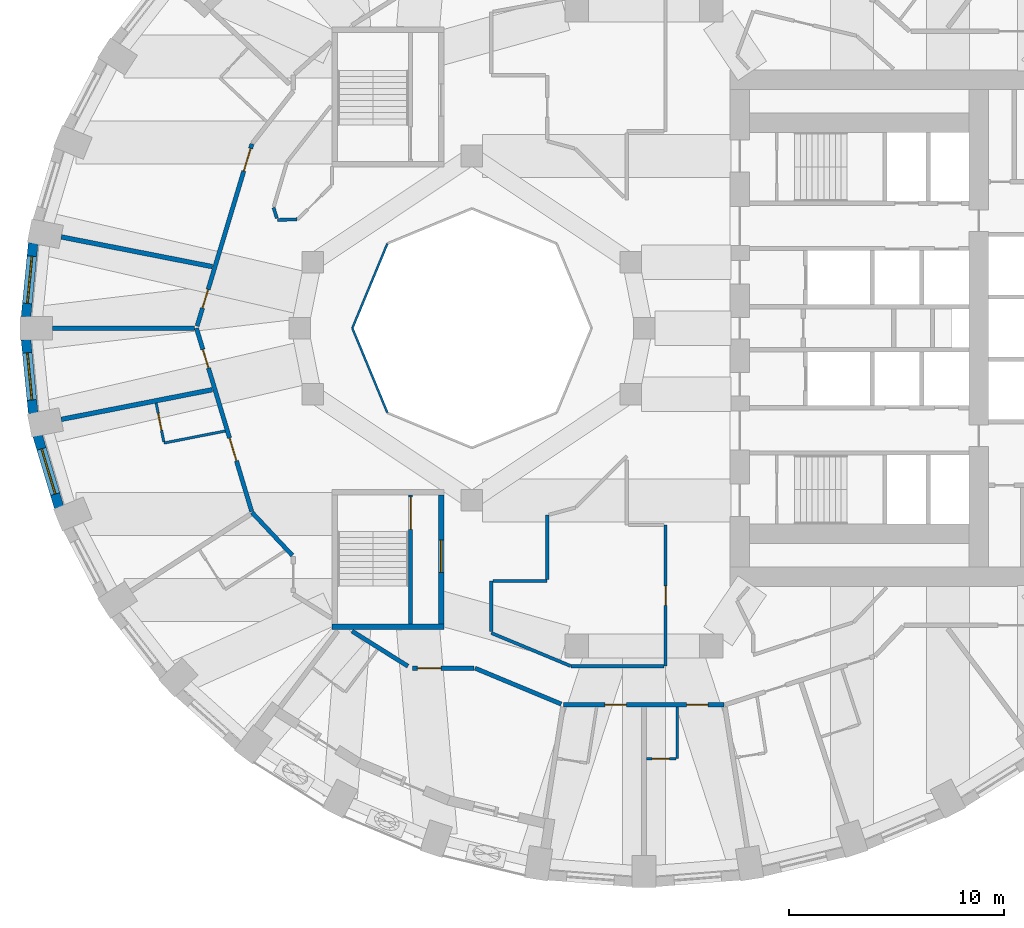
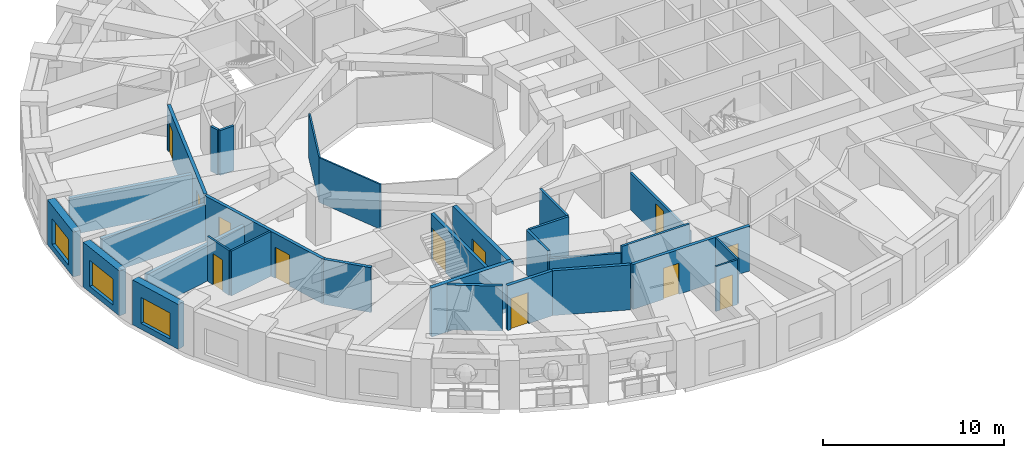
# One storey, part 4 of 13: 30 walls, 12 doors, 3 windows, 15 openings.
"""IFC4 building model written with IfcOpenShell, lengths in metres."""

from ifc_helpers import new_model, si_unit, direction, frame, frame_2d, origin, place, context, subcontext, project, spatial, rectangle, extrude, material, layer, layer_set, type_object, element, fill, save


model = new_model("IFC4")

# Units and contexts
model_context = context("Model", 3, precision=1e-05, world=origin(), true_north=direction((0.0, 1.0)))
body_context = subcontext(model_context, "Body", "Model", "MODEL_VIEW")
ifc_project = project(units=[si_unit("LENGTHUNIT", "METRE"), si_unit("AREAUNIT", "SQUARE_METRE"), si_unit("VOLUMEUNIT", "CUBIC_METRE"), si_unit("PLANEANGLEUNIT", "RADIAN"), si_unit("MASSUNIT", "GRAM", prefix="KILO")], contexts=[model_context])

# Site, building, storey
site_placement = place(None, origin())
site = spatial("IfcSite", under=ifc_project, at=site_placement, CompositionType="ELEMENT")
building_placement = place(site_placement, origin())
building = spatial("IfcBuilding", under=site, at=building_placement, Name="Taillehof Tower", CompositionType="ELEMENT")
storey_placement = place(building_placement, frame((0.0, 0.0, 48.10009765625)))
storey = spatial("IfcBuildingStorey", under=building, at=storey_placement, Name="L12", CompositionType="ELEMENT", Elevation=48.10009765625)

# Walls
ifc_material_1 = material(Name="Fire-resisting glass in steel frame", Category="steel")
ifc_layer_1 = layer(ifc_material_1, 0.10009765625)
ifc_layer_set_1 = layer_set([ifc_layer_1], Name="Atrium fire-resisting screen EI 60 100")
wall_type_1 = type_object("IfcWallType", Name="Atrium fire-resisting screen EI 60 100", PredefinedType="PARTITIONING", material=ifc_layer_set_1)
for number, where, z_axis, x_axis, name in (
    (1, (-11.92724609375, -3.92724609375, 0.0), (0.0, 0.0, 1.0), (-0.382730523909, 0.923860025149, 0.0), "Atrium screen"),
    (2, (-13.55419921875, 0.0, 0.0), (0.0, 0.0, 1.0), (0.382730523909, 0.923860025149, 0.0), "Atrium screen"),
):
    element("IfcWall", number, at=place(storey_placement, frame(where, z_axis=z_axis, x_axis=x_axis)), inside=storey, type_object=wall_type_1, Name=name, PredefinedType="PARTITIONING", context=body_context, shape_type="SweptSolid", body=[
        extrude(rectangle(XDim=4.2509765625, YDim=0.10009765625, at=frame_2d((2.12548828125, 0.0))), origin(), (0.0, 0.0, 1.0), 3.02001953125),
    ])

# Wall, opening, window
ifc_material_2 = material(Name="Brick masonry", Category="masonry")
ifc_layer_2 = layer(ifc_material_2, 0.449951171875)
ifc_layer_set_2 = layer_set([ifc_layer_2], Name="Brick infill wall 450")
wall_type_2 = type_object("IfcWallType", Name="Brick infill wall 450", PredefinedType="SOLIDWALL", material=ifc_layer_set_2)
wall_1_placement = place(storey_placement, frame((-28.38671875, 3.95556640625, 0.0), z_axis=(0.0, 0.0, 1.0), x_axis=(-0.097389581596, -0.995246336038, 0.0)))
wall_1 = element("IfcWall", 3, at=wall_1_placement, inside=storey, type_object=wall_type_2, Name="Brick wall L12 bay 18", PredefinedType="SOLIDWALL", context=body_context, shape_type="SweptSolid", body=[
    extrude(rectangle(XDim=3.44189453125, YDim=0.449951171875, at=frame_2d((1.720947265625, 0.0))), origin(), (0.0, 0.0, 1.0), 3.02001953125),
])
opening_1_placement = place(wall_1_placement, frame((0.62109375, 0.0, 0.39990234375)))
opening_1 = element("IfcOpeningElement", 4, at=opening_1_placement, cuts=wall_1, Name="Opening W1", PredefinedType="OPENING", context=body_context, shape_type="SweptSolid", body=[
    extrude(rectangle(XDim=2.199951171875, YDim=1.75, at=frame_2d((1.10009765625, 0.875))), frame((0.0, 0.23486328125, 0.0), z_axis=(0.0, -1.0, 0.0), x_axis=(1.0, 0.0, 0.0)), (0.0, 0.0, 1.0), 0.469970703125),
])
ifc_material_3 = material(Name="Aluminium window frame with clear double glazing", Category="aluminium")
window_type = type_object("IfcWindowType", Name="Deep-set window 2200x1750", PartitioningType="SINGLE_PANEL", PredefinedType="WINDOW", material=ifc_material_3)
window_1_placement = place(opening_1_placement, origin())
window_1 = element("IfcWindow", 5, at=window_1_placement, inside=storey, type_object=window_type, Name="W1", OverallHeight=1.75, OverallWidth=2.199951171875, PartitioningType="SINGLE_PANEL", PredefinedType="WINDOW", context=body_context, shape_type="SweptSolid", body=[
    extrude(rectangle(XDim=2.199951171875, YDim=1.75, at=frame_2d((1.10009765625, 0.875))), frame((0.0, 0.034912109375, 0.0), z_axis=(0.0, -1.0, 0.0), x_axis=(1.0, 0.0, 0.0)), (0.0, 0.0, 1.0), 0.06005859375),
])
fill(opening_1, window_1)

wall_2_placement = place(storey_placement, frame((-28.721923828125, -0.530029296875, 0.0), z_axis=(0.0, 0.0, 1.0), x_axis=(0.097389581596, -0.995246336038, 0.0)))
wall_2 = element("IfcWall", 6, at=wall_2_placement, inside=storey, type_object=wall_type_2, Name="Brick wall L12 bay 19", PredefinedType="SOLIDWALL", context=body_context, shape_type="SweptSolid", body=[
    extrude(rectangle(XDim=3.44189453125, YDim=0.449951171875, at=frame_2d((1.720947265625, 0.0))), origin(), (0.0, 0.0, 1.0), 3.02001953125),
])
opening_2_placement = place(wall_2_placement, frame((0.62109375, 0.0, 0.39990234375)))
opening_2 = element("IfcOpeningElement", 7, at=opening_2_placement, cuts=wall_2, Name="Opening W1", PredefinedType="OPENING", context=body_context, shape_type="SweptSolid", body=[
    extrude(rectangle(XDim=2.199951171875, YDim=1.75, at=frame_2d((1.10009765625, 0.875))), frame((0.0, 0.23486328125, 0.0), z_axis=(0.0, -1.0, 0.0), x_axis=(1.0, 0.0, 0.0)), (0.0, 0.0, 1.0), 0.469970703125),
])
window_2_placement = place(opening_2_placement, origin())
window_2 = element("IfcWindow", 8, at=window_2_placement, inside=storey, type_object=window_type, Name="W1", OverallHeight=1.75, OverallWidth=2.199951171875, PartitioningType="SINGLE_PANEL", PredefinedType="WINDOW", context=body_context, shape_type="SweptSolid", body=[
    extrude(rectangle(XDim=2.199951171875, YDim=1.75, at=frame_2d((1.10009765625, 0.875))), frame((0.0, 0.034912109375, 0.0), z_axis=(0.0, -1.0, 0.0), x_axis=(1.0, 0.0, 0.0)), (0.0, 0.0, 1.0), 0.06005859375),
])
fill(opening_2, window_2)

wall_3_placement = place(storey_placement, frame((-28.181884765625, -4.995849609375, 0.0), z_axis=(0.0, 0.0, 1.0), x_axis=(0.287064133733, -0.957911364963, 0.0)))
wall_3 = element("IfcWall", 9, at=wall_3_placement, inside=storey, type_object=wall_type_2, Name="Brick wall L12 bay 20", PredefinedType="SOLIDWALL", context=body_context, shape_type="SweptSolid", body=[
    extrude(rectangle(XDim=3.473388671875, YDim=0.449951171875, at=frame_2d((1.73681640625, 0.0))), origin(), (0.0, 0.0, 1.0), 3.02001953125),
])
opening_3_placement = place(wall_3_placement, frame((0.63671875, 0.0, 0.39990234375)))
opening_3 = element("IfcOpeningElement", 10, at=opening_3_placement, cuts=wall_3, Name="Opening W1", PredefinedType="OPENING", context=body_context, shape_type="SweptSolid", body=[
    extrude(rectangle(XDim=2.199951171875, YDim=1.75, at=frame_2d((1.10009765625, 0.875))), frame((0.0, 0.23486328125, 0.0), z_axis=(0.0, -1.0, 0.0), x_axis=(1.0, 0.0, 0.0)), (0.0, 0.0, 1.0), 0.469970703125),
])
window_3_placement = place(opening_3_placement, origin())
window_3 = element("IfcWindow", 11, at=window_3_placement, inside=storey, type_object=window_type, Name="W1", OverallHeight=1.75, OverallWidth=2.199951171875, PartitioningType="SINGLE_PANEL", PredefinedType="WINDOW", context=body_context, shape_type="SweptSolid", body=[
    extrude(rectangle(XDim=2.199951171875, YDim=1.75, at=frame_2d((1.10009765625, 0.875))), frame((0.0, 0.034912109375, 0.0), z_axis=(0.0, -1.0, 0.0), x_axis=(1.0, 0.0, 0.0)), (0.0, 0.0, 1.0), 0.06005859375),
])
fill(opening_3, window_3)

# Wall
ifc_material_4 = material(Name="Gypsum board on steel studs, two layers each side", Category="steel")
ifc_layer_3 = layer(ifc_material_4, 0.199951171875)
ifc_layer_set_3 = layer_set([ifc_layer_3], Name="Compartment wall corridor 200")
wall_type_3 = type_object("IfcWallType", Name="Compartment wall corridor 200", PredefinedType="PARTITIONING", material=ifc_layer_set_3)
wall_4_placement = place(storey_placement, frame((-16.341064453125, -10.5625, 0.0), z_axis=(0.0, 0.0, 1.0), x_axis=(-0.684393472021, 0.729112868803, 0.0)))
element("IfcWall", 12, at=wall_4_placement, inside=storey, type_object=wall_type_3, Name="Compartment wall", PredefinedType="PARTITIONING", context=body_context, shape_type="SweptSolid", body=[
    extrude(rectangle(XDim=2.74609375, YDim=0.199951171875, at=frame_2d((1.373046875, 0.0))), origin(), (0.0, 0.0, 1.0), 3.02001953125),
])

# Wall, openings, doors
wall_5_placement = place(storey_placement, frame((-18.232177734375, -8.522216796875, 0.0), z_axis=(0.0, 0.0, 1.0), x_axis=(-0.288502732396, 0.957479072043, 0.0)))
wall_5 = element("IfcWall", 13, at=wall_5_placement, inside=storey, type_object=wall_type_3, Name="Compartment wall", PredefinedType="PARTITIONING", context=body_context, shape_type="SweptSolid", body=[
    extrude(rectangle(XDim=8.900634765625, YDim=0.199951171875, at=frame_2d((4.4501953125, 0.0))), origin(), (0.0, 0.0, 1.0), 3.02001953125),
])
opening_4_placement = place(wall_5_placement, frame((6.96484375, 0.0, 0.0)))
opening_4 = element("IfcOpeningElement", 14, at=opening_4_placement, cuts=wall_5, Name="Opening D1251", PredefinedType="OPENING", context=body_context, shape_type="SweptSolid", body=[
    extrude(rectangle(XDim=0.89990234375, YDim=2.10009765625, at=frame_2d((0.449951171875, 1.050048828125))), frame((0.0, 0.10986328125, 0.0), z_axis=(0.0, -1.0, 0.0), x_axis=(1.0, 0.0, 0.0)), (0.0, 0.0, 1.0), 0.219970703125),
])
opening_5_placement = place(wall_5_placement, frame((2.46533203125, 0.0, 0.0)))
opening_5 = element("IfcOpeningElement", 15, at=opening_5_placement, cuts=wall_5, Name="Opening D1252", PredefinedType="OPENING", context=body_context, shape_type="SweptSolid", body=[
    extrude(rectangle(XDim=1.10009765625, YDim=2.10009765625, at=frame_2d((0.550048828125, 1.050048828125))), frame((0.0, 0.10986328125, 0.0), z_axis=(0.0, -1.0, 0.0), x_axis=(1.0, 0.0, 0.0)), (0.0, 0.0, 1.0), 0.219970703125),
])
ifc_material_5 = material(Name="Timber door leaf in steel frame", Category="steel")
door_type_1 = type_object("IfcDoorType", Name="Service room door EI 30 900 x 2100", OperationType="SINGLE_SWING_LEFT", PredefinedType="DOOR", material=ifc_material_5)
door_1_placement = place(opening_4_placement, origin())
door_1 = element("IfcDoor", 16, at=door_1_placement, inside=storey, type_object=door_type_1, Name="D1251", OperationType="SINGLE_SWING_LEFT", OverallHeight=2.10009765625, OverallWidth=0.89990234375, PredefinedType="DOOR", context=body_context, shape_type="SweptSolid", body=[
    extrude(rectangle(XDim=0.89990234375, YDim=2.10009765625, at=frame_2d((0.449951171875, 1.050048828125))), frame((0.0, 0.02490234375, 0.0), z_axis=(0.0, -1.0, 0.0), x_axis=(1.0, 0.0, 0.0)), (0.0, 0.0, 1.0), 0.050048828125),
])
fill(opening_4, door_1)
ifc_material_6 = material(Name="Timber door leaf in steel frame", Category="steel")
door_type_2 = type_object("IfcDoorType", Name="Suite entrance door EI 30 1100 x 2100", OperationType="SINGLE_SWING_LEFT", PredefinedType="DOOR", material=ifc_material_6)
door_2_placement = place(opening_5_placement, origin())
door_2 = element("IfcDoor", 17, at=door_2_placement, inside=storey, type_object=door_type_2, Name="D1252", OperationType="SINGLE_SWING_RIGHT", OverallHeight=2.10009765625, OverallWidth=1.10009765625, PredefinedType="DOOR", context=body_context, shape_type="SweptSolid", body=[
    extrude(rectangle(XDim=1.10009765625, YDim=2.10009765625, at=frame_2d((0.550048828125, 1.050048828125))), frame((0.0, 0.02490234375, 0.0), z_axis=(0.0, -1.0, 0.0), x_axis=(1.0, 0.0, 0.0)), (0.0, 0.0, 1.0), 0.050048828125),
])
fill(opening_5, door_2)

wall_6_placement = place(storey_placement, frame((-20.770751953125, 0.09521484375, 0.0), z_axis=(0.0, 0.0, 1.0), x_axis=(0.288464952331, 0.957490454927, 0.0)))
wall_6 = element("IfcWall", 18, at=wall_6_placement, inside=storey, type_object=wall_type_3, Name="Compartment wall", PredefinedType="PARTITIONING", context=body_context, shape_type="SweptSolid", body=[
    extrude(rectangle(XDim=8.8408203125, YDim=0.199951171875, at=frame_2d((4.42041015625, 0.0))), origin(), (0.0, 0.0, 1.0), 3.02001953125),
])
opening_6_placement = place(wall_6_placement, frame((7.52099609375, 0.0, 0.0)))
opening_6 = element("IfcOpeningElement", 19, at=opening_6_placement, cuts=wall_6, Name="Opening D1248", PredefinedType="OPENING", context=body_context, shape_type="SweptSolid", body=[
    extrude(rectangle(XDim=1.10009765625, YDim=2.10009765625, at=frame_2d((0.550048828125, 1.050048828125))), frame((0.0, 0.10986328125, 0.0), z_axis=(0.0, -1.0, 0.0), x_axis=(1.0, 0.0, 0.0)), (0.0, 0.0, 1.0), 0.219970703125),
])
opening_7_placement = place(wall_6_placement, frame((0.876708984375, 0.0, 0.0)))
opening_7 = element("IfcOpeningElement", 20, at=opening_7_placement, cuts=wall_6, Name="Opening D1250", PredefinedType="OPENING", context=body_context, shape_type="SweptSolid", body=[
    extrude(rectangle(XDim=0.89990234375, YDim=2.10009765625, at=frame_2d((0.449951171875, 1.050048828125))), frame((0.0, 0.10986328125, 0.0), z_axis=(0.0, -1.0, 0.0), x_axis=(1.0, 0.0, 0.0)), (0.0, 0.0, 1.0), 0.219970703125),
])
door_3_placement = place(opening_7_placement, origin())
door_3 = element("IfcDoor", 21, at=door_3_placement, inside=storey, type_object=door_type_1, Name="D1250", OperationType="SINGLE_SWING_LEFT", OverallHeight=2.10009765625, OverallWidth=0.89990234375, PredefinedType="DOOR", context=body_context, shape_type="SweptSolid", body=[
    extrude(rectangle(XDim=0.89990234375, YDim=2.10009765625, at=frame_2d((0.449951171875, 1.050048828125))), frame((0.0, 0.02490234375, 0.0), z_axis=(0.0, -1.0, 0.0), x_axis=(1.0, 0.0, 0.0)), (0.0, 0.0, 1.0), 0.050048828125),
])
fill(opening_7, door_3)
door_4_placement = place(opening_6_placement, origin())
door_4 = element("IfcDoor", 22, at=door_4_placement, inside=storey, type_object=door_type_2, Name="D1248", OperationType="SINGLE_SWING_RIGHT", OverallHeight=2.10009765625, OverallWidth=1.10009765625, PredefinedType="DOOR", context=body_context, shape_type="SweptSolid", body=[
    extrude(rectangle(XDim=1.10009765625, YDim=2.10009765625, at=frame_2d((0.550048828125, 1.050048828125))), frame((0.0, 0.02490234375, 0.0), z_axis=(0.0, -1.0, 0.0), x_axis=(1.0, 0.0, 0.0)), (0.0, 0.0, 1.0), 0.050048828125),
])
fill(opening_6, door_4)

wall_7_placement = place(storey_placement, frame((3.71533203125, -17.505615234375, 0.0), z_axis=(0.0, 0.0, 1.0), x_axis=(-1.0, 0.0, 0.0)))
wall_7 = element("IfcWall", 23, at=wall_7_placement, inside=storey, type_object=wall_type_3, Name="Compartment wall", PredefinedType="PARTITIONING", context=body_context, shape_type="SweptSolid", body=[
    extrude(rectangle(XDim=7.470703125, YDim=0.199951171875, at=frame_2d((3.7353515625, 0.0))), origin(), (0.0, 0.0, 1.0), 3.02001953125),
])
opening_8_placement = place(wall_7_placement, frame((4.537841796875, 0.0, 0.0)))
opening_8 = element("IfcOpeningElement", 24, at=opening_8_placement, cuts=wall_7, Name="Opening D1258", PredefinedType="OPENING", context=body_context, shape_type="SweptSolid", body=[
    extrude(rectangle(XDim=1.0, YDim=2.10009765625, at=frame_2d((0.5, 1.050048828125))), frame((0.0, 0.10986328125, 0.0), z_axis=(0.0, -1.0, 0.0), x_axis=(1.0, 0.0, 0.0)), (0.0, 0.0, 1.0), 0.219970703125),
])
opening_9_placement = place(wall_7_placement, frame((0.743408203125, 0.0, 0.0)))
opening_9 = element("IfcOpeningElement", 25, at=opening_9_placement, cuts=wall_7, Name="Opening D1260", PredefinedType="OPENING", context=body_context, shape_type="SweptSolid", body=[
    extrude(rectangle(XDim=1.0, YDim=2.10009765625, at=frame_2d((0.5, 1.050048828125))), frame((0.0, 0.10986328125, 0.0), z_axis=(0.0, -1.0, 0.0), x_axis=(1.0, 0.0, 0.0)), (0.0, 0.0, 1.0), 0.219970703125),
])
ifc_material_7 = material(Name="Timber door leaf in steel frame", Category="steel")
door_type_3 = type_object("IfcDoorType", Name="Guest room door EI 30 1000 x 2100", OperationType="SINGLE_SWING_LEFT", PredefinedType="DOOR", material=ifc_material_7)
door_5_placement = place(opening_8_placement, origin())
door_5 = element("IfcDoor", 26, at=door_5_placement, inside=storey, type_object=door_type_3, Name="D1258", OperationType="SINGLE_SWING_RIGHT", OverallHeight=2.10009765625, OverallWidth=1.0, PredefinedType="DOOR", context=body_context, shape_type="SweptSolid", body=[
    extrude(rectangle(XDim=1.0, YDim=2.10009765625, at=frame_2d((0.5, 1.050048828125))), frame((0.0, 0.02490234375, 0.0), z_axis=(0.0, -1.0, 0.0), x_axis=(1.0, 0.0, 0.0)), (0.0, 0.0, 1.0), 0.050048828125),
])
fill(opening_8, door_5)
door_6_placement = place(opening_9_placement, origin())
door_6 = element("IfcDoor", 27, at=door_6_placement, inside=storey, type_object=door_type_3, Name="D1260", OperationType="SINGLE_SWING_RIGHT", OverallHeight=2.10009765625, OverallWidth=1.0, PredefinedType="DOOR", context=body_context, shape_type="SweptSolid", body=[
    extrude(rectangle(XDim=1.0, YDim=2.10009765625, at=frame_2d((0.5, 1.050048828125))), frame((0.0, 0.02490234375, 0.0), z_axis=(0.0, -1.0, 0.0), x_axis=(1.0, 0.0, 0.0)), (0.0, 0.0, 1.0), 0.050048828125),
])
fill(opening_9, door_6)

# Wall
wall_8_placement = place(storey_placement, frame((-3.84814453125, -17.4677734375, 0.0), z_axis=(0.0, 0.0, 1.0), x_axis=(-0.923248226412, 0.384203998454, 0.0)))
element("IfcWall", 28, at=wall_8_placement, inside=storey, type_object=wall_type_3, Name="Compartment wall", PredefinedType="PARTITIONING", context=body_context, shape_type="SweptSolid", body=[
    extrude(rectangle(XDim=4.3408203125, YDim=0.199951171875, at=frame_2d((2.17041015625, 0.0))), origin(), (0.0, 0.0, 1.0), 3.02001953125),
])

# Wall, opening, door
wall_9_placement = place(storey_placement, frame((-7.895751953125, -15.800048828125, 0.0), z_axis=(0.0, 0.0, 1.0), x_axis=(-1.0, 0.0, 0.0)))
wall_9 = element("IfcWall", 29, at=wall_9_placement, inside=storey, type_object=wall_type_3, Name="Compartment wall", PredefinedType="PARTITIONING", context=body_context, shape_type="SweptSolid", body=[
    extrude(rectangle(XDim=2.857666015625, YDim=0.199951171875, at=frame_2d((1.4287109375, 0.0))), origin(), (0.0, 0.0, 1.0), 3.02001953125),
])
opening_10_placement = place(wall_9_placement, frame((1.53759765625, 0.0, 0.0)))
opening_10 = element("IfcOpeningElement", 30, at=opening_10_placement, cuts=wall_9, Name="Opening D1256", PredefinedType="OPENING", context=body_context, shape_type="SweptSolid", body=[
    extrude(rectangle(XDim=1.10009765625, YDim=2.10009765625, at=frame_2d((0.550048828125, 1.050048828125))), frame((0.0, 0.10986328125, 0.0), z_axis=(0.0, -1.0, 0.0), x_axis=(1.0, 0.0, 0.0)), (0.0, 0.0, 1.0), 0.219970703125),
])
door_7_placement = place(opening_10_placement, origin())
door_7 = element("IfcDoor", 31, at=door_7_placement, inside=storey, type_object=door_type_2, Name="D1256", OperationType="SINGLE_SWING_LEFT", OverallHeight=2.10009765625, OverallWidth=1.10009765625, PredefinedType="DOOR", context=body_context, shape_type="SweptSolid", body=[
    extrude(rectangle(XDim=1.10009765625, YDim=2.10009765625, at=frame_2d((0.550048828125, 1.050048828125))), frame((0.0, 0.02490234375, 0.0), z_axis=(0.0, -1.0, 0.0), x_axis=(1.0, 0.0, 0.0)), (0.0, 0.0, 1.0), 0.050048828125),
])
fill(opening_10, door_7)

# Walls
wall_10_placement = place(storey_placement, frame((-10.972412109375, -15.70849609375, 0.0), z_axis=(0.0, 0.0, 1.0), x_axis=(-0.846954991261, 0.53166459613, 0.0)))
element("IfcWall", 32, at=wall_10_placement, inside=storey, type_object=wall_type_3, Name="Compartment wall", PredefinedType="PARTITIONING", context=body_context, shape_type="SweptSolid", body=[
    extrude(rectangle(XDim=3.06787109375, YDim=0.199951171875, at=frame_2d((1.533935546875, 0.0))), origin(), (0.0, 0.0, 1.0), 3.02001953125),
])
ifc_material_8 = material(Name="Gypsum board on double steel studs with mineral wool", Category="steel")
ifc_layer_4 = layer(ifc_material_8, 0.219970703125)
ifc_layer_set_4 = layer_set([ifc_layer_4], Name="Compartment wall guest room 220")
wall_type_4 = type_object("IfcWallType", Name="Compartment wall guest room 220", PredefinedType="PARTITIONING", material=ifc_layer_set_4)
wall_11_placement = place(storey_placement, frame((-27.0849609375, 4.239990234375, 0.0), z_axis=(0.0, 0.0, 1.0), x_axis=(0.981197740145, -0.193005167635, 0.0)))
element("IfcWall", 33, at=wall_11_placement, inside=storey, type_object=wall_type_4, Name="Compartment wall", PredefinedType="PARTITIONING", context=body_context, shape_type="SweptSolid", body=[
    extrude(rectangle(XDim=7.15576171875, YDim=0.219970703125, at=frame_2d((3.577880859375, 0.0))), origin(), (0.0, 0.0, 1.0), 2.469970703125),
])
wall_12_placement = place(storey_placement, frame((-27.5, 0.0, 0.0), z_axis=(0.0, 0.0, 1.0), x_axis=(1.0, 0.0, 0.0)))
element("IfcWall", 34, at=wall_12_placement, inside=storey, type_object=wall_type_4, Name="Compartment wall", PredefinedType="PARTITIONING", context=body_context, shape_type="SweptSolid", body=[
    extrude(rectangle(XDim=6.599853515625, YDim=0.219970703125, at=frame_2d((3.2998046875, 0.0))), origin(), (0.0, 0.0, 1.0), 2.469970703125),
])
wall_13_placement = place(storey_placement, frame((-27.0849609375, -4.239990234375, 0.0), z_axis=(0.0, 0.0, 1.0), x_axis=(0.981197740145, 0.193005167635, 0.0)))
element("IfcWall", 35, at=wall_13_placement, inside=storey, type_object=wall_type_4, Name="Compartment wall", PredefinedType="PARTITIONING", context=body_context, shape_type="SweptSolid", body=[
    extrude(rectangle(XDim=7.15576171875, YDim=0.219970703125, at=frame_2d((3.577880859375, 0.0))), origin(), (0.0, 0.0, 1.0), 2.469970703125),
])
ifc_material_9 = material(Name="Gypsum board on steel studs, two layers each side", Category="steel")
ifc_layer_5 = layer(ifc_material_9, 0.14990234375)
ifc_layer_set_5 = layer_set([ifc_layer_5], Name="Compartment wall service room 150")
wall_type_5 = type_object("IfcWallType", Name="Compartment wall service room 150", PredefinedType="PARTITIONING", material=ifc_layer_set_5)
wall_14_placement = place(storey_placement, frame((-16.13427734375, 5.056884765625, 0.0), z_axis=(0.0, 0.0, 1.0), x_axis=(-0.999529504487, -0.030671968644, 0.0)))
element("IfcWall", 36, at=wall_14_placement, inside=storey, type_object=wall_type_5, Name="Compartment wall", PredefinedType="PARTITIONING", context=body_context, shape_type="SweptSolid", body=[
    extrude(rectangle(XDim=0.907470703125, YDim=0.14990234375, at=frame_2d((0.45361328125, 0.0))), origin(), (0.0, 0.0, 1.0), 3.02001953125),
])
wall_15_placement = place(storey_placement, frame((-17.064697265625, 5.105224609375, 0.0), z_axis=(0.0, 0.0, 1.0), x_axis=(-0.291495658108, 0.956572151646, 0.0)))
element("IfcWall", 37, at=wall_15_placement, inside=storey, type_object=wall_type_5, Name="Compartment wall", PredefinedType="PARTITIONING", context=body_context, shape_type="SweptSolid", body=[
    extrude(rectangle(XDim=0.5234375, YDim=0.14990234375, at=frame_2d((0.26171875, 0.0))), origin(), (0.0, 0.0, 1.0), 3.02001953125),
])

# Wall, opening, door
wall_16_placement = place(storey_placement, frame((1.0, -9.14990234375, 0.0), z_axis=(0.0, 0.0, 1.0), x_axis=(0.0, -1.0, 0.0)))
wall_16 = element("IfcWall", 38, at=wall_16_placement, inside=storey, type_object=wall_type_5, Name="Compartment wall", PredefinedType="PARTITIONING", context=body_context, shape_type="SweptSolid", body=[
    extrude(rectangle(XDim=6.5556640625, YDim=0.14990234375, at=frame_2d((3.27783203125, 0.0))), origin(), (0.0, 0.0, 1.0), 2.469970703125),
])
opening_11_placement = place(wall_16_placement, frame((2.827880859375, 0.0, 0.0)))
opening_11 = element("IfcOpeningElement", 39, at=opening_11_placement, cuts=wall_16, Name="Opening D1273", PredefinedType="OPENING", context=body_context, shape_type="SweptSolid", body=[
    extrude(rectangle(XDim=0.89990234375, YDim=2.10009765625, at=frame_2d((0.449951171875, 1.050048828125))), frame((0.0, 0.0849609375, 0.0), z_axis=(0.0, -1.0, 0.0), x_axis=(1.0, 0.0, 0.0)), (0.0, 0.0, 1.0), 0.169921875),
])
door_8_placement = place(opening_11_placement, origin())
door_8 = element("IfcDoor", 40, at=door_8_placement, inside=storey, type_object=door_type_1, Name="D1273", OperationType="SINGLE_SWING_LEFT", OverallHeight=2.10009765625, OverallWidth=0.89990234375, PredefinedType="DOOR", context=body_context, shape_type="SweptSolid", body=[
    extrude(rectangle(XDim=0.89990234375, YDim=2.10009765625, at=frame_2d((0.449951171875, 1.050048828125))), frame((0.0, 0.02490234375, 0.0), z_axis=(0.0, -1.0, 0.0), x_axis=(1.0, 0.0, 0.0)), (0.0, 0.0, 1.0), 0.050048828125),
])
fill(opening_11, door_8)

# Walls
wall_17_placement = place(storey_placement, frame((0.919921875, -15.70556640625, 0.0), z_axis=(0.0, 0.0, 1.0), x_axis=(-1.0, 0.0, 0.0)))
element("IfcWall", 41, at=wall_17_placement, inside=storey, type_object=wall_type_5, Name="Compartment wall", PredefinedType="PARTITIONING", context=body_context, shape_type="SweptSolid", body=[
    extrude(rectangle(XDim=4.31591796875, YDim=0.14990234375, at=frame_2d((2.157958984375, 0.0))), origin(), (0.0, 0.0, 1.0), 3.02001953125),
])
wall_18_placement = place(storey_placement, frame((-3.41455078125, -15.697998046875, 0.0), z_axis=(0.0, 0.0, 1.0), x_axis=(-0.923293917367, 0.38409418396, 0.0)))
element("IfcWall", 42, at=wall_18_placement, inside=storey, type_object=wall_type_5, Name="Compartment wall", PredefinedType="PARTITIONING", context=body_context, shape_type="SweptSolid", body=[
    extrude(rectangle(XDim=3.99169921875, YDim=0.14990234375, at=frame_2d((1.995849609375, 0.0))), origin(), (0.0, 0.0, 1.0), 2.56982421875),
])
wall_19_placement = place(storey_placement, frame((-7.10009765625, -14.104736328125, 0.0), z_axis=(0.0, 0.0, 1.0), x_axis=(0.0, 1.0, 0.0)))
element("IfcWall", 43, at=wall_19_placement, inside=storey, type_object=wall_type_5, Name="Compartment wall", PredefinedType="PARTITIONING", context=body_context, shape_type="SweptSolid", body=[
    extrude(rectangle(XDim=2.354736328125, YDim=0.14990234375, at=frame_2d((1.17724609375, 0.0))), origin(), (0.0, 0.0, 1.0), 3.02001953125),
])
wall_20_placement = place(storey_placement, frame((-7.02001953125, -11.75, 0.0), z_axis=(0.0, 0.0, 1.0), x_axis=(1.0, 0.0, 0.0)))
element("IfcWall", 44, at=wall_20_placement, inside=storey, type_object=wall_type_5, Name="Compartment wall", PredefinedType="PARTITIONING", context=body_context, shape_type="SweptSolid", body=[
    extrude(rectangle(XDim=2.52001953125, YDim=0.14990234375, at=frame_2d((1.260009765625, 0.0))), origin(), (0.0, 0.0, 1.0), 3.02001953125),
])
wall_21_placement = place(storey_placement, frame((-4.5, -11.669921875, 0.0), z_axis=(0.0, 0.0, 1.0), x_axis=(0.0, 1.0, 0.0)))
element("IfcWall", 45, at=wall_21_placement, inside=storey, type_object=wall_type_5, Name="Compartment wall", PredefinedType="PARTITIONING", context=body_context, shape_type="SweptSolid", body=[
    extrude(rectangle(XDim=2.979736328125, YDim=0.14990234375, at=frame_2d((1.48974609375, 0.0))), origin(), (0.0, 0.0, 1.0), 3.02001953125),
])
ifc_material_10 = material(Name="Gypsum board on steel studs, moisture resistant", Category="steel")
ifc_layer_6 = layer(ifc_material_10, 0.1201171875)
ifc_layer_set_6 = layer_set([ifc_layer_6], Name="En-suite wall 120")
wall_type_6 = type_object("IfcWallType", Name="En-suite wall 120", PredefinedType="PARTITIONING", material=ifc_layer_set_6)
wall_22_placement = place(storey_placement, frame((-19.46435546875, -4.779296875, 0.0), z_axis=(0.0, 0.0, 1.0), x_axis=(-0.981185297697, -0.193068411666, 0.0)))
element("IfcWall", 46, at=wall_22_placement, inside=storey, type_object=wall_type_6, Name="En-suite wall", PredefinedType="PARTITIONING", context=body_context, shape_type="SweptSolid", body=[
    extrude(rectangle(XDim=2.89697265625, YDim=0.1201171875, at=frame_2d((1.448486328125, 0.0))), origin(), (0.0, 0.0, 1.0), 3.02001953125),
])
wall_23_placement = place(storey_placement, frame((1.550048828125, -17.605712890625, 0.0), z_axis=(0.0, 0.0, 1.0), x_axis=(0.0, -1.0, 0.0)))
element("IfcWall", 47, at=wall_23_placement, inside=storey, type_object=wall_type_6, Name="En-suite wall", PredefinedType="PARTITIONING", context=body_context, shape_type="SweptSolid", body=[
    extrude(rectangle(XDim=2.39990234375, YDim=0.1201171875, at=frame_2d((1.199951171875, 0.0))), origin(), (0.0, 0.0, 1.0), 3.02001953125),
])

# Wall, opening, door
wall_24_placement = place(storey_placement, frame((-22.318359375, -5.27978515625, 0.0), z_axis=(0.0, 0.0, 1.0), x_axis=(-0.193036598643, 0.981191557029, 0.0)))
wall_24 = element("IfcWall", 48, at=wall_24_placement, inside=storey, type_object=wall_type_6, Name="En-suite wall", PredefinedType="PARTITIONING", context=body_context, shape_type="SweptSolid", body=[
    extrude(rectangle(XDim=1.830078125, YDim=0.1201171875, at=frame_2d((0.9150390625, 0.0))), origin(), (0.0, 0.0, 1.0), 3.02001953125),
])
opening_12_placement = place(wall_24_placement, frame((0.540283203125, 0.0, 0.0)))
opening_12 = element("IfcOpeningElement", 49, at=opening_12_placement, cuts=wall_24, Name="Opening D1253", PredefinedType="OPENING", context=body_context, shape_type="SweptSolid", body=[
    extrude(rectangle(XDim=0.800048828125, YDim=2.10009765625, at=frame_2d((0.39990234375, 1.050048828125))), frame((0.0, 0.070068359375, 0.0), z_axis=(0.0, -1.0, 0.0), x_axis=(1.0, 0.0, 0.0)), (0.0, 0.0, 1.0), 0.14013671875),
])
ifc_material_11 = material(Name="Timber door leaf in steel frame", Category="steel")
door_type_4 = type_object("IfcDoorType", Name="En-suite door 800 x 2100", OperationType="SINGLE_SWING_LEFT", PredefinedType="DOOR", material=ifc_material_11)
door_9_placement = place(opening_12_placement, origin())
door_9 = element("IfcDoor", 50, at=door_9_placement, inside=storey, type_object=door_type_4, Name="D1253", OperationType="SINGLE_SWING_RIGHT", OverallHeight=2.10009765625, OverallWidth=0.800048828125, PredefinedType="DOOR", context=body_context, shape_type="SweptSolid", body=[
    extrude(rectangle(XDim=0.800048828125, YDim=2.10009765625, at=frame_2d((0.39990234375, 1.050048828125))), frame((0.0, 0.02490234375, 0.0), z_axis=(0.0, -1.0, 0.0), x_axis=(1.0, 0.0, 0.0)), (0.0, 0.0, 1.0), 0.050048828125),
])
fill(opening_12, door_9)

wall_25_placement = place(storey_placement, frame((1.489990234375, -20.005615234375, 0.0), z_axis=(0.0, 0.0, 1.0), x_axis=(-1.0, 0.0, 0.0)))
wall_25 = element("IfcWall", 51, at=wall_25_placement, inside=storey, type_object=wall_type_6, Name="En-suite wall", PredefinedType="PARTITIONING", context=body_context, shape_type="SweptSolid", body=[
    extrude(rectangle(XDim=1.3798828125, YDim=0.1201171875, at=frame_2d((0.68994140625, 0.0))), origin(), (0.0, 0.0, 1.0), 3.02001953125),
])
opening_13_placement = place(wall_25_placement, frame((0.31494140625, 0.0, 0.0)))
opening_13 = element("IfcOpeningElement", 52, at=opening_13_placement, cuts=wall_25, Name="Opening D1261", PredefinedType="OPENING", context=body_context, shape_type="SweptSolid", body=[
    extrude(rectangle(XDim=0.800048828125, YDim=2.10009765625, at=frame_2d((0.39990234375, 1.050048828125))), frame((0.0, 0.070068359375, 0.0), z_axis=(0.0, -1.0, 0.0), x_axis=(1.0, 0.0, 0.0)), (0.0, 0.0, 1.0), 0.14013671875),
])
door_10_placement = place(opening_13_placement, origin())
door_10 = element("IfcDoor", 53, at=door_10_placement, inside=storey, type_object=door_type_4, Name="D1261", OperationType="SINGLE_SWING_RIGHT", OverallHeight=2.10009765625, OverallWidth=0.800048828125, PredefinedType="DOOR", context=body_context, shape_type="SweptSolid", body=[
    extrude(rectangle(XDim=0.800048828125, YDim=2.10009765625, at=frame_2d((0.39990234375, 1.050048828125))), frame((0.0, 0.02490234375, 0.0), z_axis=(0.0, -1.0, 0.0), x_axis=(1.0, 0.0, 0.0)), (0.0, 0.0, 1.0), 0.050048828125),
])
fill(opening_13, door_10)

ifc_material_12 = material(Name="Concrete C50/60", Category="concrete")
ifc_layer_7 = layer(ifc_material_12, 0.199951171875)
ifc_layer_set_7 = layer_set([ifc_layer_7], Name="Shaft wall C50/60 200")
wall_type_7 = type_object("IfcWallType", Name="Shaft wall C50/60 200", PredefinedType="SHEAR", material=ifc_layer_set_7)
wall_26_placement = place(storey_placement, frame((-10.85009765625, -13.75, 0.0), z_axis=(0.0, 0.0, 1.0), x_axis=(0.0, 1.0, 0.0)))
wall_26 = element("IfcWall", 54, at=wall_26_placement, inside=storey, type_object=wall_type_7, Name="Shaft wall SW", PredefinedType="SHEAR", context=body_context, shape_type="SweptSolid", body=[
    extrude(rectangle(XDim=6.0, YDim=0.199951171875, at=frame_2d((3.0, 0.0))), origin(), (0.0, 0.0, 1.0), 3.02001953125),
])
opening_14_placement = place(wall_26_placement, frame((4.39990234375, 0.0, 0.0)))
opening_14 = element("IfcOpeningElement", 55, at=opening_14_placement, cuts=wall_26, Name="Opening D1213", PredefinedType="OPENING", context=body_context, shape_type="SweptSolid", body=[
    extrude(rectangle(XDim=1.5, YDim=2.10009765625, at=frame_2d((0.75, 1.050048828125))), frame((0.0, 0.10986328125, 0.0), z_axis=(0.0, -1.0, 0.0), x_axis=(1.0, 0.0, 0.0)), (0.0, 0.0, 1.0), 0.219970703125),
])
ifc_material_13 = material(Name="Steel-faced fire door", Category="steel")
door_type_5 = type_object("IfcDoorType", Name="Stair door 1500x2100", OperationType="DOUBLE_DOOR_SINGLE_SWING", PredefinedType="DOOR", material=ifc_material_13)
door_11_placement = place(opening_14_placement, origin())
door_11 = element("IfcDoor", 56, at=door_11_placement, inside=storey, type_object=door_type_5, Name="Stair lobby door S4", OperationType="DOUBLE_DOOR_SINGLE_SWING", OverallHeight=2.10009765625, OverallWidth=1.5, PredefinedType="DOOR", context=body_context, shape_type="SweptSolid", body=[
    extrude(rectangle(XDim=1.5, YDim=2.10009765625, at=frame_2d((0.75, 1.050048828125))), frame((0.0, 0.02490234375, 0.0), z_axis=(0.0, -1.0, 0.0), x_axis=(1.0, 0.0, 0.0)), (0.0, 0.0, 1.0), 0.050048828125),
])
fill(opening_14, door_11)

ifc_material_14 = material(Name="Concrete C50/60", Category="concrete")
ifc_layer_8 = layer(ifc_material_14, 0.25)
ifc_layer_set_8 = layer_set([ifc_layer_8], Name="Stair wall C50/60 250")
wall_type_8 = type_object("IfcWallType", Name="Stair wall C50/60 250", PredefinedType="SHEAR", material=ifc_layer_set_8)
wall_27_placement = place(storey_placement, frame((-9.425048828125, -13.75, -0.280029296875), z_axis=(0.0, 0.0, 1.0), x_axis=(0.0, 1.0, 0.0)))
wall_27 = element("IfcWall", 57, at=wall_27_placement, inside=storey, type_object=wall_type_8, Name="Stair wall SC", PredefinedType="SHEAR", context=body_context, shape_type="SweptSolid", body=[
    extrude(rectangle(XDim=6.0, YDim=0.25, at=frame_2d((3.0, 0.0))), origin(), (0.0, 0.0, 1.0), 3.300048828125),
])
opening_15_placement = place(wall_27_placement, frame((2.39990234375, 0.0, 0.280029296875)))
opening_15 = element("IfcOpeningElement", 58, at=opening_15_placement, cuts=wall_27, Name="Opening D1220", PredefinedType="OPENING", context=body_context, shape_type="SweptSolid", body=[
    extrude(rectangle(XDim=1.5, YDim=2.10009765625, at=frame_2d((0.75, 1.050048828125))), frame((0.0, 0.135009765625, 0.0), z_axis=(0.0, -1.0, 0.0), x_axis=(1.0, 0.0, 0.0)), (0.0, 0.0, 1.0), 0.27001953125),
])
door_12_placement = place(opening_15_placement, origin())
door_12 = element("IfcDoor", 59, at=door_12_placement, inside=storey, type_object=door_type_5, Name="Stair door S4", OperationType="DOUBLE_DOOR_SINGLE_SWING", OverallHeight=2.10009765625, OverallWidth=1.5, PredefinedType="DOOR", context=body_context, shape_type="SweptSolid", body=[
    extrude(rectangle(XDim=1.5, YDim=2.10009765625, at=frame_2d((0.75, 1.050048828125))), frame((0.0, 0.02490234375, 0.0), z_axis=(0.0, -1.0, 0.0), x_axis=(1.0, 0.0, 0.0)), (0.0, 0.0, 1.0), 0.050048828125),
])
fill(opening_15, door_12)

# Wall
wall_28_placement = place(storey_placement, frame((-14.5, -13.875, -0.280029296875), z_axis=(0.0, 0.0, 1.0), x_axis=(1.0, 0.0, 0.0)))
element("IfcWall", 60, at=wall_28_placement, inside=storey, type_object=wall_type_8, Name="Stair wall SC", PredefinedType="SHEAR", context=body_context, shape_type="SweptSolid", body=[
    extrude(rectangle(XDim=5.199951171875, YDim=0.25, at=frame_2d((2.60009765625, 0.0))), origin(), (0.0, 0.0, 1.0), 3.300048828125),
])

save(model, "model.ifc")
